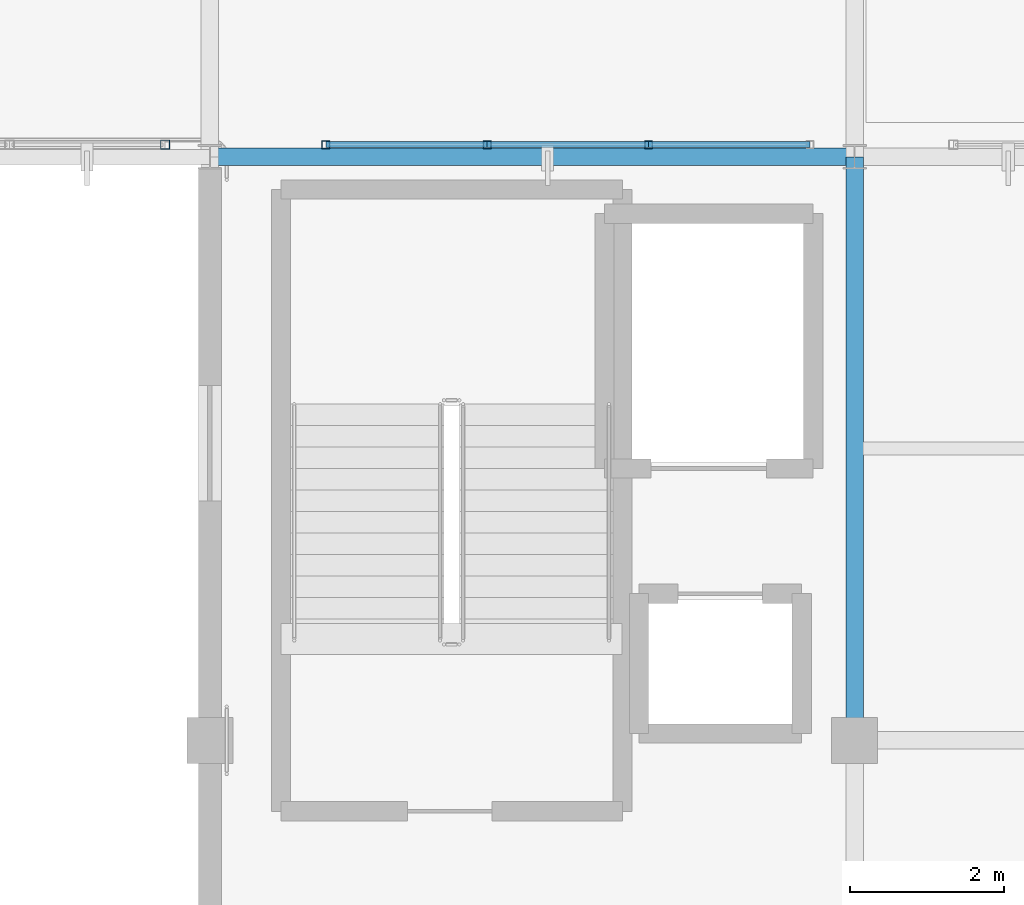
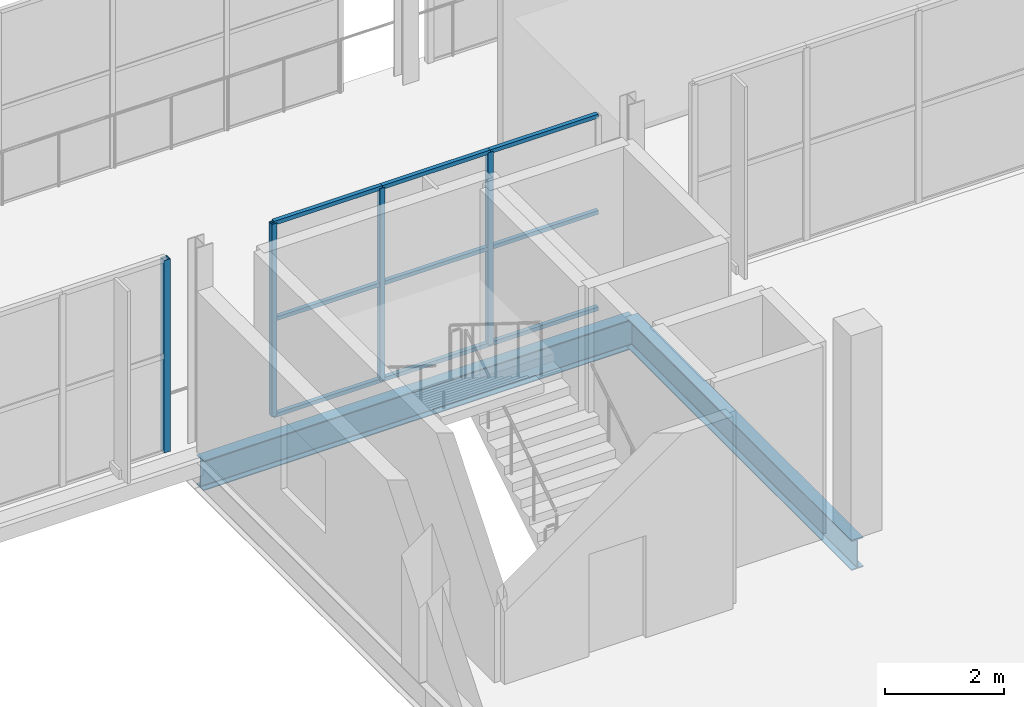
# One storey, part 27 of 151: 13 members, 2 beams, 2 elements without a shape of their own.
"""IFC4 building model written with IfcOpenShell, lengths in metres."""

from ifc_helpers import new_model, si_unit, direction, frame, origin, origin_2d, place, context, subcontext, project, spatial, hollow_rectangle, i_section, extrude, material, material_profile, profile_set, type_object, element, aggregate, save


model = new_model("IFC4")

# Units and contexts
model_context = context("Model", 3, precision=1e-05, world=origin(), true_north=direction((0.0, 1.0)))
body_context = subcontext(model_context, "Body", "Model", "MODEL_VIEW")
ifc_project = project(units=[si_unit("LENGTHUNIT", "METRE"), si_unit("AREAUNIT", "SQUARE_METRE"), si_unit("VOLUMEUNIT", "CUBIC_METRE"), si_unit("PLANEANGLEUNIT", "RADIAN"), si_unit("MASSUNIT", "GRAM", prefix="KILO")], contexts=[model_context])

# Site, building, storey
site_placement = place(None, origin())
site = spatial("IfcSite", under=ifc_project, at=site_placement, CompositionType="ELEMENT")
building_placement = place(site_placement, origin())
building = spatial("IfcBuilding", under=site, at=building_placement, Name="Zuvorla Pavilion Media Centre", CompositionType="ELEMENT")
storey_placement = place(building_placement, frame((0.0, 0.0, 13.800048828125)))
storey = spatial("IfcBuildingStorey", under=building, at=storey_placement, Name="L03", CompositionType="ELEMENT", Elevation=13.800048828125)

# Beams
ifc_material_1 = material(Name="Steel S355", Category="steel")
ifc_material_profile_1 = material_profile(ifc_material_1, i_section(OverallWidth=0.22900390625, OverallDepth=0.6123046875, WebThickness=0.011962890625, FlangeThickness=0.01953125, FilletRadius=0.0126953125, at=origin_2d()), Name="UB 610x229x125")
ifc_profile_set_1 = profile_set([ifc_material_profile_1], Name="Steel S355")
beam_type = type_object("IfcBeamType", Name="BM-UB610", PredefinedType="BEAM", material=ifc_profile_set_1)
beam_1_placement = place(storey_placement, frame((41.60009765625, 44.0, -0.564208984375), z_axis=(1.0, 0.0, 0.0), x_axis=(0.0, 1.0, 0.0)))
element("IfcBeam", 1, at=beam_1_placement, inside=storey, type_object=beam_type, Name="L03 beam B07 1077", PredefinedType="BEAM", context=body_context, shape_type="SweptSolid", body=[
    extrude(i_section(OverallWidth=0.22900390625, OverallDepth=0.6123046875, WebThickness=0.011962890625, FlangeThickness=0.01953125, FilletRadius=0.0126953125, at=origin_2d()), origin(), (0.0, 0.0, 1.0), 8.39990234375),
])
beam_2_placement = place(storey_placement, frame((50.0, 36.39990234375, -0.564208984375), z_axis=(0.0, 1.0, 0.0), x_axis=(-1.0, 0.0, 0.0)))
element("IfcBeam", 2, at=beam_2_placement, inside=storey, type_object=beam_type, Name="L03 beam B07 1170", PredefinedType="BEAM", context=body_context, shape_type="SweptSolid", body=[
    extrude(i_section(OverallWidth=0.22900390625, OverallDepth=0.6123046875, WebThickness=0.011962890625, FlangeThickness=0.01953125, FilletRadius=0.0126953125, at=origin_2d()), origin(), (0.0, 0.0, 1.0), 7.60009765625),
])

# Curtain wall, members
ifc_material_2 = material(Name="Unitised anodised aluminium and solar glass curtain wall", Category="aluminium")
curtain_wall_type_1 = type_object("IfcCurtainWallType", Name="CW-SYS-36", PredefinedType="USERDEFINED", material=ifc_material_2)
curtain_wall_1_placement = place(storey_placement, origin())
curtain_wall_1 = element("IfcCurtainWall", 3, at=curtain_wall_1_placement, inside=storey, type_object=curtain_wall_type_1, Name="L03 curtain wall CW36 134", ObjectType="CURTAIN WALL", PredefinedType="USERDEFINED")
ifc_material_3 = material(Name="Anodised aluminium 6063-T6", Category="aluminium")
ifc_material_profile_2 = material_profile(ifc_material_3, hollow_rectangle(XDim=0.10009765625, YDim=0.10009765625, WallThickness=0.00439453125, at=origin_2d()), Name="ALU MULL 100x100")
ifc_profile_set_2 = profile_set([ifc_material_profile_2], Name="Anodised aluminium 6063-T6")
member_type_1 = type_object("IfcMemberType", Name="CW-MULL-100", PredefinedType="MULLION", material=ifc_profile_set_2)
member_1_placement = place(storey_placement, frame((43.110107421875, 44.159912109375, 0.0), z_axis=(0.0, 0.0, 1.0), x_axis=(1.0, 0.0, 0.0)))
member_1 = element("IfcMember", 4, at=member_1_placement, type_object=member_type_1, Name="CW36 mullion 1", PredefinedType="MULLION", context=body_context, shape_type="SweptSolid", body=[
    extrude(hollow_rectangle(XDim=0.10009765625, YDim=0.10009765625, WallThickness=0.00439453125, at=origin_2d()), origin(), (0.0, 0.0, 1.0), 3.9599609375),
])
member_2_placement = place(storey_placement, frame((45.212646484375, 44.159912109375, 0.0), z_axis=(0.0, 0.0, 1.0), x_axis=(1.0, 0.0, 0.0)))
member_2 = element("IfcMember", 5, at=member_2_placement, type_object=member_type_1, Name="CW36 mullion 2", PredefinedType="MULLION", context=body_context, shape_type="SweptSolid", body=[
    extrude(hollow_rectangle(XDim=0.10009765625, YDim=0.10009765625, WallThickness=0.00439453125, at=origin_2d()), origin(), (0.0, 0.0, 1.0), 3.9599609375),
])
member_3_placement = place(storey_placement, frame((47.3154296875, 44.159912109375, 0.0), z_axis=(0.0, 0.0, 1.0), x_axis=(1.0, 0.0, 0.0)))
member_3 = element("IfcMember", 6, at=member_3_placement, type_object=member_type_1, Name="CW36 mullion 3", PredefinedType="MULLION", context=body_context, shape_type="SweptSolid", body=[
    extrude(hollow_rectangle(XDim=0.10009765625, YDim=0.10009765625, WallThickness=0.00439453125, at=origin_2d()), origin(), (0.0, 0.0, 1.0), 3.9599609375),
])

# Curtain wall, member
curtain_wall_type_2 = type_object("IfcCurtainWallType", Name="CW-SYS-65", PredefinedType="USERDEFINED", material=ifc_material_2)
curtain_wall_2_placement = place(storey_placement, origin())
curtain_wall_2 = element("IfcCurtainWall", 7, at=curtain_wall_2_placement, inside=storey, type_object=curtain_wall_type_2, Name="L03 curtain wall CW65 133", ObjectType="CURTAIN WALL", PredefinedType="USERDEFINED")
ifc_material_profile_3 = material_profile(ifc_material_3, hollow_rectangle(XDim=0.1201171875, YDim=0.1201171875, WallThickness=0.0048828125, at=origin_2d()), Name="ALU MULL 120x120")
ifc_profile_set_3 = profile_set([ifc_material_profile_3], Name="Anodised aluminium 6063-T6")
member_type_2 = type_object("IfcMemberType", Name="CW-MULL-120", PredefinedType="MULLION", material=ifc_profile_set_3)
member_4_placement = place(storey_placement, frame((41.01806640625, 44.159912109375, 0.0), z_axis=(0.0, 0.0, 1.0), x_axis=(1.0, 0.0, 0.0)))
member_4 = element("IfcMember", 8, at=member_4_placement, type_object=member_type_2, Name="CW65 mullion 4", PredefinedType="MULLION", context=body_context, shape_type="SweptSolid", body=[
    extrude(hollow_rectangle(XDim=0.1201171875, YDim=0.1201171875, WallThickness=0.0048828125, at=origin_2d()), origin(), (0.0, 0.0, 1.0), 3.9599609375),
])
aggregate(curtain_wall_2, [member_4])

# Member
ifc_material_profile_4 = material_profile(ifc_material_3, hollow_rectangle(XDim=0.080078125, YDim=0.080078125, WallThickness=0.00390625, at=origin_2d()), Name="ALU TRAN 80x80")
ifc_profile_set_4 = profile_set([ifc_material_profile_4], Name="Anodised aluminium 6063-T6")
member_type_3 = type_object("IfcMemberType", Name="CW-TRAN-80", PredefinedType="USERDEFINED", material=ifc_profile_set_4)
member_5_placement = place(storey_placement, frame((43.110107421875, 44.159912109375, 0.0), z_axis=(1.0, 0.0, 0.0), x_axis=(0.0, 1.0, 0.0)))
member_5 = element("IfcMember", 9, at=member_5_placement, type_object=member_type_3, Name="CW36 transom 1.1", ObjectType="TRANSOM", PredefinedType="USERDEFINED", context=body_context, shape_type="SweptSolid", body=[
    extrude(hollow_rectangle(XDim=0.080078125, YDim=0.080078125, WallThickness=0.00390625, at=origin_2d()), origin(), (0.0, 0.0, 1.0), 2.1025390625),
])

member_6_placement = place(storey_placement, frame((43.110107421875, 44.159912109375, 1.97998046875), z_axis=(1.0, 0.0, 0.0), x_axis=(0.0, 1.0, 0.0)))
member_6 = element("IfcMember", 10, at=member_6_placement, type_object=member_type_3, Name="CW36 transom 1.2", ObjectType="TRANSOM", PredefinedType="USERDEFINED", context=body_context, shape_type="SweptSolid", body=[
    extrude(hollow_rectangle(XDim=0.080078125, YDim=0.080078125, WallThickness=0.00390625, at=origin_2d()), origin(), (0.0, 0.0, 1.0), 2.1025390625),
])

member_7_placement = place(storey_placement, frame((43.110107421875, 44.159912109375, 3.9599609375), z_axis=(1.0, 0.0, 0.0), x_axis=(0.0, 1.0, 0.0)))
member_7 = element("IfcMember", 11, at=member_7_placement, type_object=member_type_3, Name="CW36 transom 1.3", ObjectType="TRANSOM", PredefinedType="USERDEFINED", context=body_context, shape_type="SweptSolid", body=[
    extrude(hollow_rectangle(XDim=0.080078125, YDim=0.080078125, WallThickness=0.00390625, at=origin_2d()), origin(), (0.0, 0.0, 1.0), 2.1025390625),
])

member_8_placement = place(storey_placement, frame((45.212646484375, 44.159912109375, 0.0), z_axis=(1.0, 0.0, 0.0), x_axis=(0.0, 1.0, 0.0)))
member_8 = element("IfcMember", 12, at=member_8_placement, type_object=member_type_3, Name="CW36 transom 2.1", ObjectType="TRANSOM", PredefinedType="USERDEFINED", context=body_context, shape_type="SweptSolid", body=[
    extrude(hollow_rectangle(XDim=0.080078125, YDim=0.080078125, WallThickness=0.00390625, at=origin_2d()), origin(), (0.0, 0.0, 1.0), 2.102783203125),
])

member_9_placement = place(storey_placement, frame((45.212646484375, 44.159912109375, 1.97998046875), z_axis=(1.0, 0.0, 0.0), x_axis=(0.0, 1.0, 0.0)))
member_9 = element("IfcMember", 13, at=member_9_placement, type_object=member_type_3, Name="CW36 transom 2.2", ObjectType="TRANSOM", PredefinedType="USERDEFINED", context=body_context, shape_type="SweptSolid", body=[
    extrude(hollow_rectangle(XDim=0.080078125, YDim=0.080078125, WallThickness=0.00390625, at=origin_2d()), origin(), (0.0, 0.0, 1.0), 2.102783203125),
])

member_10_placement = place(storey_placement, frame((45.212646484375, 44.159912109375, 3.9599609375), z_axis=(1.0, 0.0, 0.0), x_axis=(0.0, 1.0, 0.0)))
member_10 = element("IfcMember", 14, at=member_10_placement, type_object=member_type_3, Name="CW36 transom 2.3", ObjectType="TRANSOM", PredefinedType="USERDEFINED", context=body_context, shape_type="SweptSolid", body=[
    extrude(hollow_rectangle(XDim=0.080078125, YDim=0.080078125, WallThickness=0.00390625, at=origin_2d()), origin(), (0.0, 0.0, 1.0), 2.102783203125),
])

member_11_placement = place(storey_placement, frame((47.3154296875, 44.159912109375, 0.0), z_axis=(1.0, 0.0, 0.0), x_axis=(0.0, 1.0, 0.0)))
member_11 = element("IfcMember", 15, at=member_11_placement, type_object=member_type_3, Name="CW36 transom 3.1", ObjectType="TRANSOM", PredefinedType="USERDEFINED", context=body_context, shape_type="SweptSolid", body=[
    extrude(hollow_rectangle(XDim=0.080078125, YDim=0.080078125, WallThickness=0.00390625, at=origin_2d()), origin(), (0.0, 0.0, 1.0), 2.102783203125),
])

member_12_placement = place(storey_placement, frame((47.3154296875, 44.159912109375, 1.97998046875), z_axis=(1.0, 0.0, 0.0), x_axis=(0.0, 1.0, 0.0)))
member_12 = element("IfcMember", 16, at=member_12_placement, type_object=member_type_3, Name="CW36 transom 3.2", ObjectType="TRANSOM", PredefinedType="USERDEFINED", context=body_context, shape_type="SweptSolid", body=[
    extrude(hollow_rectangle(XDim=0.080078125, YDim=0.080078125, WallThickness=0.00390625, at=origin_2d()), origin(), (0.0, 0.0, 1.0), 2.102783203125),
])

member_13_placement = place(storey_placement, frame((47.3154296875, 44.159912109375, 3.9599609375), z_axis=(1.0, 0.0, 0.0), x_axis=(0.0, 1.0, 0.0)))
member_13 = element("IfcMember", 17, at=member_13_placement, type_object=member_type_3, Name="CW36 transom 3.3", ObjectType="TRANSOM", PredefinedType="USERDEFINED", context=body_context, shape_type="SweptSolid", body=[
    extrude(hollow_rectangle(XDim=0.080078125, YDim=0.080078125, WallThickness=0.00390625, at=origin_2d()), origin(), (0.0, 0.0, 1.0), 2.102783203125),
])

aggregate(curtain_wall_1, [member_1, member_2, member_3, member_5, member_6, member_7, member_8, member_9, member_10, member_11, member_12, member_13])

save(model, "model.ifc")
